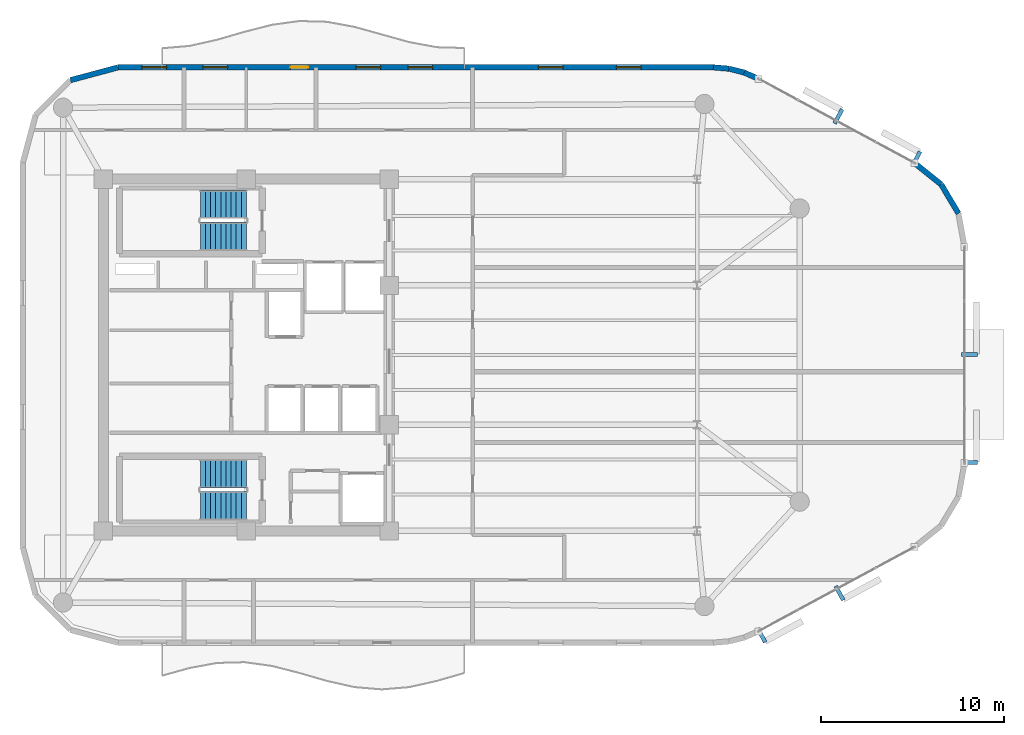
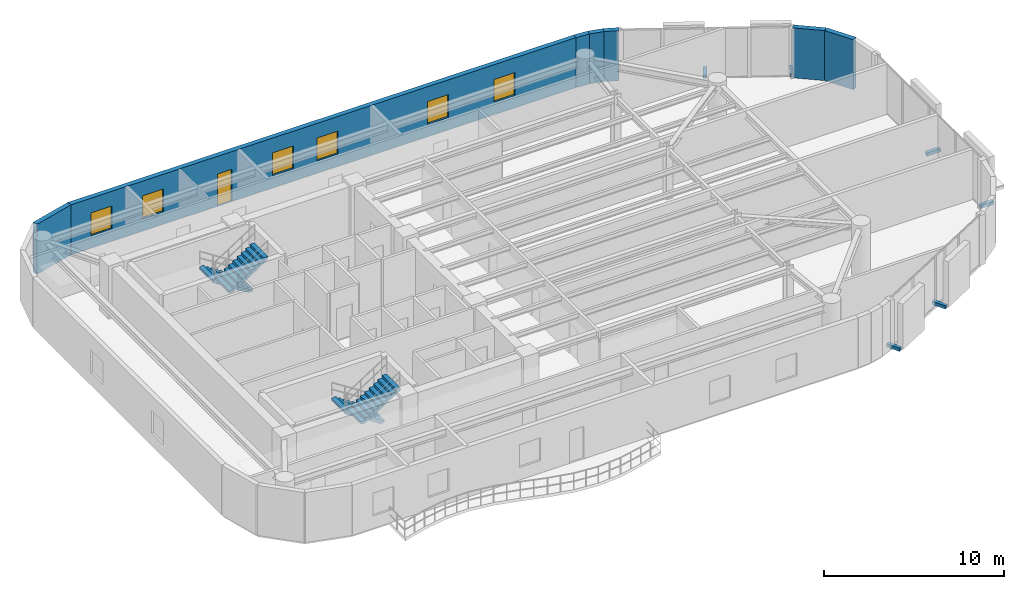
# One storey, part 11 of 13: 7 walls, 6 discrete accessories, 6 windows, 4 stair flights, 1 door, 7 openings, 2 elements without a shape of their own.
"""IFC4 building model written with IfcOpenShell, lengths in metres."""

from ifc_helpers import new_model, si_unit, direction, frame, frame_2d, origin, origin_2d, place, context, subcontext, project, spatial, polyline, rectangle, outline, extrude, material, layer, layer_set, type_object, element, fill, aggregate, save


model = new_model("IFC4")

# Units and contexts
model_context = context("Model", 3, precision=1e-05, world=origin(), true_north=direction((0.0, 1.0)))
body_context = subcontext(model_context, "Body", "Model", "MODEL_VIEW")
ifc_project = project(units=[si_unit("LENGTHUNIT", "METRE"), si_unit("AREAUNIT", "SQUARE_METRE"), si_unit("VOLUMEUNIT", "CUBIC_METRE"), si_unit("PLANEANGLEUNIT", "RADIAN"), si_unit("MASSUNIT", "GRAM", prefix="KILO")], contexts=[model_context])

# Site, building, storey
site_placement = place(None, origin())
site = spatial("IfcSite", under=ifc_project, at=site_placement, CompositionType="ELEMENT")
building_placement = place(site_placement, origin())
building = spatial("IfcBuilding", under=site, at=building_placement, Name="An Khanh Terracotta Commons", CompositionType="ELEMENT")
storey_placement = place(building_placement, frame((0.0, 0.0, 222.89990234375)))
storey = spatial("IfcBuildingStorey", under=building, at=storey_placement, Name="L58", CompositionType="ELEMENT", Elevation=222.89990234375)

# Walls
ifc_material_1 = material(Name="Precast concrete C40/50", Category="concrete")
ifc_layer = layer(ifc_material_1, 0.300048828125, Name="Precast concrete C40/50")
ifc_layer_set = layer_set([ifc_layer], Name="Precast concrete C40/50")
wall_type = type_object("IfcWallType", Name="WALL-EXT-300", PredefinedType="SOLIDWALL", material=ifc_layer_set)
wall_1_placement = place(storey_placement, frame((68.26904296875, 31.72412109375, 0.0), z_axis=(0.0, 0.0, 1.0), x_axis=(-0.512072018927, 0.858942516955, 0.0)))
element("IfcWall", 1, at=wall_1_placement, inside=storey, type_object=wall_type, Name="L58 Insulated Terracotta Exterior Wall 14", PredefinedType="SOLIDWALL", context=body_context, shape_type="SweptSolid", body=[
    extrude(rectangle(XDim=1.853271484375, YDim=0.300048828125, at=frame_2d((0.9267578125, 0.0))), origin(), (0.0, 0.0, 1.0), 3.400146484375),
])
wall_2_placement = place(storey_placement, frame((67.320068359375, 33.31591796875, 0.0), z_axis=(0.0, 0.0, 1.0), x_axis=(-0.780920189257, 0.624630817372, 0.0)))
element("IfcWall", 2, at=wall_2_placement, inside=storey, type_object=wall_type, Name="L58 Insulated Terracotta Exterior Wall 15", PredefinedType="SOLIDWALL", context=body_context, shape_type="SweptSolid", body=[
    extrude(rectangle(XDim=1.854248046875, YDim=0.300048828125, at=frame_2d((0.92724609375, 0.0))), origin(), (0.0, 0.0, 1.0), 3.400146484375),
])
wall_3_placement = place(storey_placement, frame((57.35693359375, 39.074951171875, 0.0), z_axis=(0.0, 0.0, 1.0), x_axis=(-0.916085473636, 0.400983048261, 0.0)))
element("IfcWall", 3, at=wall_3_placement, inside=storey, type_object=wall_type, Name="L58 Insulated Terracotta Exterior Wall 17", PredefinedType="SOLIDWALL", context=body_context, shape_type="SweptSolid", body=[
    extrude(rectangle(XDim=0.85791015625, YDim=0.300048828125, at=frame_2d((0.428955078125, 0.0))), origin(), (0.0, 0.0, 1.0), 3.400146484375),
])
wall_4_placement = place(storey_placement, frame((56.571044921875, 39.4189453125, 0.0), z_axis=(0.0, 0.0, 1.0), x_axis=(-0.969536346338, 0.244947490555, 0.0)))
element("IfcWall", 4, at=wall_4_placement, inside=storey, type_object=wall_type, Name="L58 Insulated Terracotta Exterior Wall 18", PredefinedType="SOLIDWALL", context=body_context, shape_type="SweptSolid", body=[
    extrude(rectangle(XDim=0.857177734375, YDim=0.300048828125, at=frame_2d((0.4287109375, 0.0))), origin(), (0.0, 0.0, 1.0), 3.400146484375),
])
wall_5_placement = place(storey_placement, frame((55.739990234375, 39.62890625, 0.0), z_axis=(0.0, 0.0, 1.0), x_axis=(-0.996565355958, 0.082809971041, 0.0)))
element("IfcWall", 5, at=wall_5_placement, inside=storey, type_object=wall_type, Name="L58 Insulated Terracotta Exterior Wall 19", PredefinedType="SOLIDWALL", context=body_context, shape_type="SweptSolid", body=[
    extrude(rectangle(XDim=0.85791015625, YDim=0.300048828125, at=frame_2d((0.428955078125, 0.0))), origin(), (0.0, 0.0, 1.0), 3.400146484375),
])

# Wall, openings, door, windows
wall_6_placement = place(storey_placement, frame((54.885009765625, 39.699951171875, 0.0), z_axis=(0.0, 0.0, 1.0), x_axis=(-1.0, 0.0, 0.0)))
wall_6 = element("IfcWall", 6, at=wall_6_placement, inside=storey, type_object=wall_type, Name="L58 Insulated Terracotta Exterior Wall 20", PredefinedType="SOLIDWALL", context=body_context, shape_type="SweptSolid", body=[
    extrude(rectangle(XDim=32.485107421875, YDim=0.300048828125, at=frame_2d((16.24267578125, 0.0))), origin(), (0.0, 0.0, 1.0), 3.400146484375),
])
opening_1_placement = place(wall_6_placement, frame((22.110107421875, 0.0, 0.0)))
opening_1 = element("IfcOpeningElement", 7, at=opening_1_placement, cuts=wall_6, Name="Opening D-BAL", PredefinedType="OPENING", context=body_context, shape_type="SweptSolid", body=[
    extrude(rectangle(XDim=0.949951171875, YDim=2.199951171875, at=frame_2d((0.47509765625, 1.10009765625))), frame((0.0, 0.159912109375, 0.0), z_axis=(0.0, -1.0, 0.0), x_axis=(1.0, 0.0, 0.0)), (0.0, 0.0, 1.0), 0.320068359375),
])
opening_2_placement = place(wall_6_placement, frame((3.93701171875, 0.0, 0.85009765625)))
opening_2 = element("IfcOpeningElement", 8, at=opening_2_placement, cuts=wall_6, Name="Opening W-04", PredefinedType="OPENING", context=body_context, shape_type="SweptSolid", body=[
    extrude(rectangle(XDim=1.35009765625, YDim=1.550048828125, at=frame_2d((0.675048828125, 0.77490234375))), frame((0.0, 0.159912109375, 0.0), z_axis=(0.0, -1.0, 0.0), x_axis=(1.0, 0.0, 0.0)), (0.0, 0.0, 1.0), 0.320068359375),
])
opening_3_placement = place(wall_6_placement, frame((8.197998046875, 0.0, 0.85009765625)))
opening_3 = element("IfcOpeningElement", 9, at=opening_3_placement, cuts=wall_6, Name="Opening W-04", PredefinedType="OPENING", context=body_context, shape_type="SweptSolid", body=[
    extrude(rectangle(XDim=1.35009765625, YDim=1.550048828125, at=frame_2d((0.675048828125, 0.77490234375))), frame((0.0, 0.159912109375, 0.0), z_axis=(0.0, -1.0, 0.0), x_axis=(1.0, 0.0, 0.0)), (0.0, 0.0, 1.0), 0.320068359375),
])
opening_4_placement = place(wall_6_placement, frame((15.31005859375, 0.0, 0.85009765625)))
opening_4 = element("IfcOpeningElement", 10, at=opening_4_placement, cuts=wall_6, Name="Opening W-04", PredefinedType="OPENING", context=body_context, shape_type="SweptSolid", body=[
    extrude(rectangle(XDim=1.35009765625, YDim=1.550048828125, at=frame_2d((0.675048828125, 0.77490234375))), frame((0.0, 0.159912109375, 0.0), z_axis=(0.0, -1.0, 0.0), x_axis=(1.0, 0.0, 0.0)), (0.0, 0.0, 1.0), 0.320068359375),
])
opening_5_placement = place(wall_6_placement, frame((18.159912109375, 0.0, 0.85009765625)))
opening_5 = element("IfcOpeningElement", 11, at=opening_5_placement, cuts=wall_6, Name="Opening W-04", PredefinedType="OPENING", context=body_context, shape_type="SweptSolid", body=[
    extrude(rectangle(XDim=1.35009765625, YDim=1.550048828125, at=frame_2d((0.675048828125, 0.77490234375))), frame((0.0, 0.159912109375, 0.0), z_axis=(0.0, -1.0, 0.0), x_axis=(1.0, 0.0, 0.0)), (0.0, 0.0, 1.0), 0.320068359375),
])
opening_6_placement = place(wall_6_placement, frame((26.510009765625, 0.0, 0.85009765625)))
opening_6 = element("IfcOpeningElement", 12, at=opening_6_placement, cuts=wall_6, Name="Opening W-04", PredefinedType="OPENING", context=body_context, shape_type="SweptSolid", body=[
    extrude(rectangle(XDim=1.35009765625, YDim=1.550048828125, at=frame_2d((0.675048828125, 0.77490234375))), frame((0.0, 0.159912109375, 0.0), z_axis=(0.0, -1.0, 0.0), x_axis=(1.0, 0.0, 0.0)), (0.0, 0.0, 1.0), 0.320068359375),
])
opening_7_placement = place(wall_6_placement, frame((29.8349609375, 0.0, 0.85009765625)))
opening_7 = element("IfcOpeningElement", 13, at=opening_7_placement, cuts=wall_6, Name="Opening W-04", PredefinedType="OPENING", context=body_context, shape_type="SweptSolid", body=[
    extrude(rectangle(XDim=1.35009765625, YDim=1.550048828125, at=frame_2d((0.675048828125, 0.77490234375))), frame((0.0, 0.159912109375, 0.0), z_axis=(0.0, -1.0, 0.0), x_axis=(1.0, 0.0, 0.0)), (0.0, 0.0, 1.0), 0.320068359375),
])
ifc_material_2 = material(Name="Thermally Broken Aluminium and Low-E Glass", Category="aluminium")
door_type = type_object("IfcDoorType", Name="DOOR-BALC-950", OperationType="NOTDEFINED", PredefinedType="DOOR", material=ifc_material_2)
door_placement = place(opening_1_placement, origin())
door = element("IfcDoor", 14, at=door_placement, inside=storey, type_object=door_type, Name="L58 N Wave Balcony Glazed Door", OperationType="SINGLE_SWING_RIGHT", OverallHeight=2.199951171875, OverallWidth=0.949951171875, PredefinedType="DOOR", context=body_context, shape_type="SweptSolid", body=[
    extrude(rectangle(XDim=0.949951171875, YDim=2.199951171875, at=frame_2d((0.47509765625, 1.10009765625))), frame((0.0, 0.02490234375, 0.0), z_axis=(0.0, -1.0, 0.0), x_axis=(1.0, 0.0, 0.0)), (0.0, 0.0, 1.0), 0.050048828125),
])
fill(opening_1, door)
window_type = type_object("IfcWindowType", Name="WIN-Z4-1350x1550", PartitioningType="SINGLE_PANEL", PredefinedType="WINDOW", material=ifc_material_2)
window_1_placement = place(opening_2_placement, origin())
window_1 = element("IfcWindow", 15, at=window_1_placement, inside=storey, type_object=window_type, Name="L58 Operable Casement Window 20.1", OverallHeight=1.550048828125, OverallWidth=1.35009765625, PartitioningType="SINGLE_PANEL", PredefinedType="WINDOW", context=body_context, shape_type="SweptSolid", body=[
    extrude(rectangle(XDim=1.35009765625, YDim=1.550048828125, at=frame_2d((0.675048828125, 0.77490234375))), frame((0.0, 0.030029296875, 0.0), z_axis=(0.0, -1.0, 0.0), x_axis=(1.0, 0.0, 0.0)), (0.0, 0.0, 1.0), 0.06005859375),
])
fill(opening_2, window_1)
window_2_placement = place(opening_3_placement, origin())
window_2 = element("IfcWindow", 16, at=window_2_placement, inside=storey, type_object=window_type, Name="L58 Operable Casement Window 20.2", OverallHeight=1.550048828125, OverallWidth=1.35009765625, PartitioningType="SINGLE_PANEL", PredefinedType="WINDOW", context=body_context, shape_type="SweptSolid", body=[
    extrude(rectangle(XDim=1.35009765625, YDim=1.550048828125, at=frame_2d((0.675048828125, 0.77490234375))), frame((0.0, 0.030029296875, 0.0), z_axis=(0.0, -1.0, 0.0), x_axis=(1.0, 0.0, 0.0)), (0.0, 0.0, 1.0), 0.06005859375),
])
fill(opening_3, window_2)
window_3_placement = place(opening_4_placement, origin())
window_3 = element("IfcWindow", 17, at=window_3_placement, inside=storey, type_object=window_type, Name="L58 Operable Casement Window 20.3", OverallHeight=1.550048828125, OverallWidth=1.35009765625, PartitioningType="SINGLE_PANEL", PredefinedType="WINDOW", context=body_context, shape_type="SweptSolid", body=[
    extrude(rectangle(XDim=1.35009765625, YDim=1.550048828125, at=frame_2d((0.675048828125, 0.77490234375))), frame((0.0, 0.030029296875, 0.0), z_axis=(0.0, -1.0, 0.0), x_axis=(1.0, 0.0, 0.0)), (0.0, 0.0, 1.0), 0.06005859375),
])
fill(opening_4, window_3)
window_4_placement = place(opening_5_placement, origin())
window_4 = element("IfcWindow", 18, at=window_4_placement, inside=storey, type_object=window_type, Name="L58 Operable Casement Window 20.4", OverallHeight=1.550048828125, OverallWidth=1.35009765625, PartitioningType="SINGLE_PANEL", PredefinedType="WINDOW", context=body_context, shape_type="SweptSolid", body=[
    extrude(rectangle(XDim=1.35009765625, YDim=1.550048828125, at=frame_2d((0.675048828125, 0.77490234375))), frame((0.0, 0.030029296875, 0.0), z_axis=(0.0, -1.0, 0.0), x_axis=(1.0, 0.0, 0.0)), (0.0, 0.0, 1.0), 0.06005859375),
])
fill(opening_5, window_4)
window_5_placement = place(opening_6_placement, origin())
window_5 = element("IfcWindow", 19, at=window_5_placement, inside=storey, type_object=window_type, Name="L58 Operable Casement Window 20.5", OverallHeight=1.550048828125, OverallWidth=1.35009765625, PartitioningType="SINGLE_PANEL", PredefinedType="WINDOW", context=body_context, shape_type="SweptSolid", body=[
    extrude(rectangle(XDim=1.35009765625, YDim=1.550048828125, at=frame_2d((0.675048828125, 0.77490234375))), frame((0.0, 0.030029296875, 0.0), z_axis=(0.0, -1.0, 0.0), x_axis=(1.0, 0.0, 0.0)), (0.0, 0.0, 1.0), 0.06005859375),
])
fill(opening_6, window_5)
window_6_placement = place(opening_7_placement, origin())
window_6 = element("IfcWindow", 20, at=window_6_placement, inside=storey, type_object=window_type, Name="L58 Operable Casement Window 20.6", OverallHeight=1.550048828125, OverallWidth=1.35009765625, PartitioningType="SINGLE_PANEL", PredefinedType="WINDOW", context=body_context, shape_type="SweptSolid", body=[
    extrude(rectangle(XDim=1.35009765625, YDim=1.550048828125, at=frame_2d((0.675048828125, 0.77490234375))), frame((0.0, 0.030029296875, 0.0), z_axis=(0.0, -1.0, 0.0), x_axis=(1.0, 0.0, 0.0)), (0.0, 0.0, 1.0), 0.06005859375),
])
fill(opening_7, window_6)

# Wall
wall_7_placement = place(storey_placement, frame((22.39990234375, 39.699951171875, 0.0), z_axis=(0.0, 0.0, 1.0), x_axis=(-0.965889330541, -0.258955210695, 0.0)))
element("IfcWall", 21, at=wall_7_placement, inside=storey, type_object=wall_type, Name="L58 Insulated Terracotta Exterior Wall 21", PredefinedType="SOLIDWALL", context=body_context, shape_type="SweptSolid", body=[
    extrude(rectangle(XDim=2.691650390625, YDim=0.300048828125, at=frame_2d((1.345703125, 0.0))), origin(), (0.0, 0.0, 1.0), 3.400146484375),
])

# Stair, stair flights
stair_type = type_object("IfcStairType", Name="STAIR-CORE-1550", PredefinedType="HALF_TURN_STAIR", material=ifc_material_1)
stair_1_placement = place(storey_placement, origin())
stair_1 = element("IfcStair", 22, at=stair_1_placement, inside=storey, type_object=stair_type, Name="L58 Core Smokeproof Exit Stair ST-01", PredefinedType="HALF_TURN_STAIR")
stair_flight_type = type_object("IfcStairFlightType", Name="FLIGHT-CORE-1550", PredefinedType="STRAIGHT", material=ifc_material_1)
stair_flight_1_placement = place(storey_placement, frame((29.409912109375, 32.22509765625, 0.0), z_axis=(0.0, 0.0, 1.0), x_axis=(-1.0, 0.0, 0.0)))
stair_flight_1 = element("IfcStairFlight", 23, at=stair_flight_1_placement, type_object=stair_flight_type, Name="ST-01 flight 1", NumberOfRisers=10, NumberOfTreads=9, PredefinedType="STRAIGHT", RiserHeight=0.18, TreadLength=0.28, context=body_context, shape_type="SweptSolid", body=[
    extrude(outline(polyline([(0.0, 0.0), (0.0, 0.179931640625), (0.280029296875, 0.179931640625), (0.280029296875, 0.360107421875), (0.56005859375, 0.360107421875), (0.56005859375, 0.5400390625), (0.840087890625, 0.5400390625), (0.840087890625, 0.719970703125), (1.1201171875, 0.719970703125), (1.1201171875, 0.89990234375), (1.39990234375, 0.89990234375), (1.39990234375, 1.080078125), (1.679931640625, 1.080078125), (1.679931640625, 1.260009765625), (1.9599609375, 1.260009765625), (1.9599609375, 1.43994140625), (2.239990234375, 1.43994140625), (2.239990234375, 1.6201171875), (2.52001953125, 1.6201171875), (2.52001953125, 1.800048828125), (2.52001953125, 1.44189453125), (0.277099609375, 0.0), (0.0, 0.0)])), frame((0.0, 0.77490234375, 0.0), z_axis=(0.0, -1.0, 0.0), x_axis=(1.0, 0.0, 0.0)), (0.0, 0.0, 1.0), 1.550048828125),
])
stair_flight_2_placement = place(storey_placement, frame((26.889892578125, 30.47509765625, 1.800048828125), z_axis=(0.0, 0.0, 1.0), x_axis=(1.0, 0.0, 0.0)))
stair_flight_2 = element("IfcStairFlight", 24, at=stair_flight_2_placement, type_object=stair_flight_type, Name="ST-01 flight 2", NumberOfRisers=10, NumberOfTreads=9, PredefinedType="STRAIGHT", RiserHeight=0.18, TreadLength=0.28, context=body_context, shape_type="SweptSolid", body=[
    extrude(outline(polyline([(0.0, 0.0), (0.0, 0.179931640625), (0.280029296875, 0.179931640625), (0.280029296875, 0.360107421875), (0.56005859375, 0.360107421875), (0.56005859375, 0.5400390625), (0.840087890625, 0.5400390625), (0.840087890625, 0.719970703125), (1.1201171875, 0.719970703125), (1.1201171875, 0.89990234375), (1.39990234375, 0.89990234375), (1.39990234375, 1.080078125), (1.679931640625, 1.080078125), (1.679931640625, 1.260009765625), (1.9599609375, 1.260009765625), (1.9599609375, 1.43994140625), (2.239990234375, 1.43994140625), (2.239990234375, 1.6201171875), (2.52001953125, 1.6201171875), (2.52001953125, 1.800048828125), (2.52001953125, 1.44189453125), (0.277099609375, 0.0), (0.0, 0.0)])), frame((0.0, 0.77490234375, 0.0), z_axis=(0.0, -1.0, 0.0), x_axis=(1.0, 0.0, 0.0)), (0.0, 0.0, 1.0), 1.550048828125),
])
aggregate(stair_1, [stair_flight_1, stair_flight_2])

stair_2_placement = place(storey_placement, origin())
stair_2 = element("IfcStair", 25, at=stair_2_placement, inside=storey, type_object=stair_type, Name="L58 Core Smokeproof Exit Stair ST-02", PredefinedType="HALF_TURN_STAIR")
stair_flight_3_placement = place(storey_placement, frame((29.409912109375, 17.52490234375, 0.0), z_axis=(0.0, 0.0, 1.0), x_axis=(-1.0, 0.0, 0.0)))
stair_flight_3 = element("IfcStairFlight", 26, at=stair_flight_3_placement, type_object=stair_flight_type, Name="ST-02 flight 1", NumberOfRisers=10, NumberOfTreads=9, PredefinedType="STRAIGHT", RiserHeight=0.18, TreadLength=0.28, context=body_context, shape_type="SweptSolid", body=[
    extrude(outline(polyline([(0.0, 0.0), (0.0, 0.179931640625), (0.280029296875, 0.179931640625), (0.280029296875, 0.360107421875), (0.56005859375, 0.360107421875), (0.56005859375, 0.5400390625), (0.840087890625, 0.5400390625), (0.840087890625, 0.719970703125), (1.1201171875, 0.719970703125), (1.1201171875, 0.89990234375), (1.39990234375, 0.89990234375), (1.39990234375, 1.080078125), (1.679931640625, 1.080078125), (1.679931640625, 1.260009765625), (1.9599609375, 1.260009765625), (1.9599609375, 1.43994140625), (2.239990234375, 1.43994140625), (2.239990234375, 1.6201171875), (2.52001953125, 1.6201171875), (2.52001953125, 1.800048828125), (2.52001953125, 1.44189453125), (0.277099609375, 0.0), (0.0, 0.0)])), frame((0.0, 0.77490234375, 0.0), z_axis=(0.0, -1.0, 0.0), x_axis=(1.0, 0.0, 0.0)), (0.0, 0.0, 1.0), 1.550048828125),
])
stair_flight_4_placement = place(storey_placement, frame((26.889892578125, 15.77490234375, 1.800048828125), z_axis=(0.0, 0.0, 1.0), x_axis=(1.0, 0.0, 0.0)))
stair_flight_4 = element("IfcStairFlight", 27, at=stair_flight_4_placement, type_object=stair_flight_type, Name="ST-02 flight 2", NumberOfRisers=10, NumberOfTreads=9, PredefinedType="STRAIGHT", RiserHeight=0.18, TreadLength=0.28, context=body_context, shape_type="SweptSolid", body=[
    extrude(outline(polyline([(0.0, 0.0), (0.0, 0.179931640625), (0.280029296875, 0.179931640625), (0.280029296875, 0.360107421875), (0.56005859375, 0.360107421875), (0.56005859375, 0.5400390625), (0.840087890625, 0.5400390625), (0.840087890625, 0.719970703125), (1.1201171875, 0.719970703125), (1.1201171875, 0.89990234375), (1.39990234375, 0.89990234375), (1.39990234375, 1.080078125), (1.679931640625, 1.080078125), (1.679931640625, 1.260009765625), (1.9599609375, 1.260009765625), (1.9599609375, 1.43994140625), (2.239990234375, 1.43994140625), (2.239990234375, 1.6201171875), (2.52001953125, 1.6201171875), (2.52001953125, 1.800048828125), (2.52001953125, 1.44189453125), (0.277099609375, 0.0), (0.0, 0.0)])), frame((0.0, 0.77490234375, 0.0), z_axis=(0.0, -1.0, 0.0), x_axis=(1.0, 0.0, 0.0)), (0.0, 0.0, 1.0), 1.550048828125),
])
aggregate(stair_2, [stair_flight_3, stair_flight_4])

# Discrete accessories
ifc_material_3 = material(Name="Stainless Steel Grade 316L", Category="steel")
discrete_accessory_type = type_object("IfcDiscreteAccessoryType", Name="Stainless Outrigger Facade Bracket", PredefinedType="BRACKET", material=ifc_material_3)
for number, where, z_axis, x_axis, name in (
    (28, (57.513916015625, 8.7080078125, 0.0703125), (0.0, 0.0, 1.0), (0.879780095306, 0.47538088298, 0.0), "L58 Terracotta Screen Outrigger Bracket 1"),
    (29, (61.77099609375, 11.009033203125, 0.0703125), (0.0, 0.0, 1.0), (0.879780095306, 0.47538088298, 0.0), "L58 Terracotta Screen Outrigger Bracket 3"),
    (30, (68.864990234375, 18.135986328125, 0.0703125), (0.0, 0.0, 1.0), (0.0, 1.0, 0.0), "L58 Terracotta Screen Outrigger Bracket 1"),
    (31, (68.864990234375, 24.034912109375, 0.0703125), (0.0, 0.0, 1.0), (0.0, 1.0, 0.0), "L58 Terracotta Screen Outrigger Bracket 3"),
    (32, (65.967041015625, 34.72412109375, 0.0703125), (0.0, 0.0, 1.0), (-0.879780095306, 0.47538088298, 0.0), "L58 Terracotta Screen Outrigger Bracket 1"),
    (33, (61.7099609375, 37.02392578125, 0.0703125), (0.0, 0.0, 1.0), (-0.879780095306, 0.47538088298, 0.0), "L58 Terracotta Screen Outrigger Bracket 3"),
):
    element("IfcDiscreteAccessory", number, at=place(storey_placement, frame(where, z_axis=z_axis, x_axis=x_axis)), inside=storey, type_object=discrete_accessory_type, Name=name, PredefinedType="BRACKET", context=body_context, shape_type="SweptSolid", body=[
        extrude(rectangle(XDim=0.219970703125, YDim=0.8701171875, at=origin_2d()), origin(), (0.0, 0.0, 1.0), 0.219970703125),
    ])

save(model, "model.ifc")
